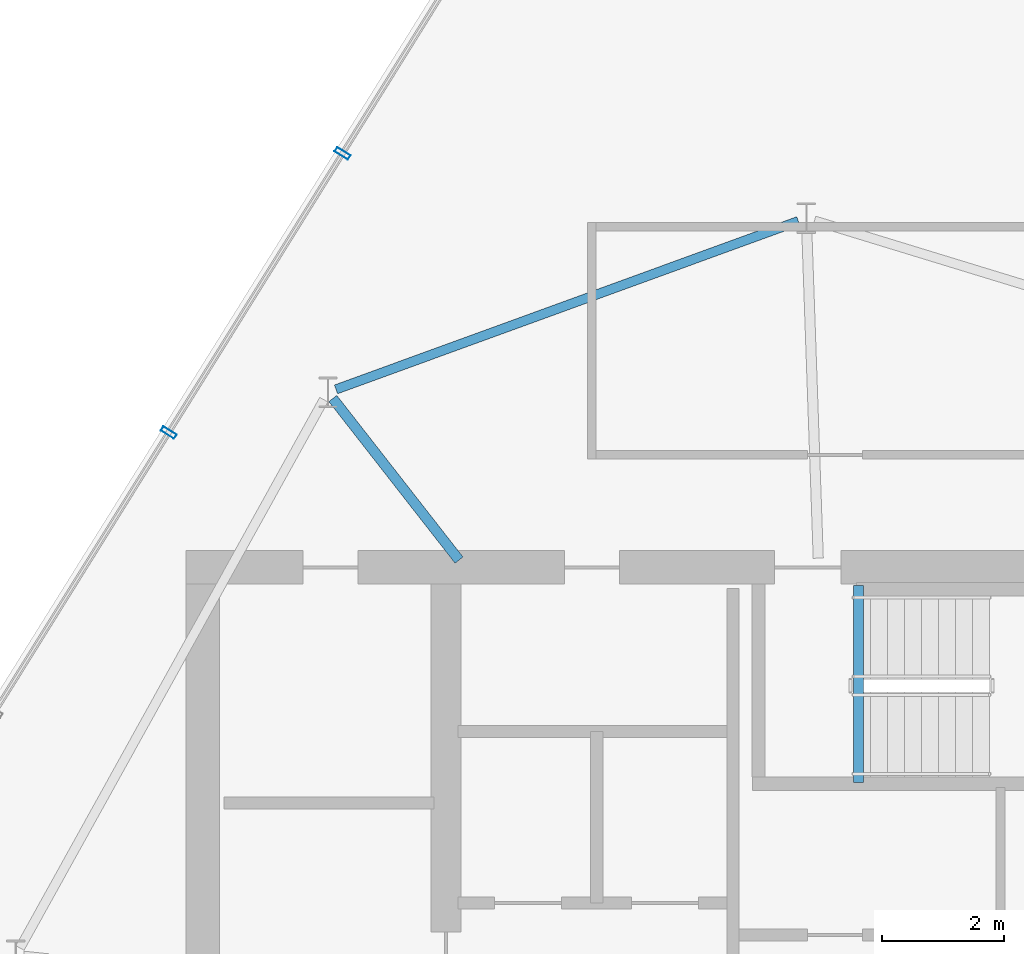
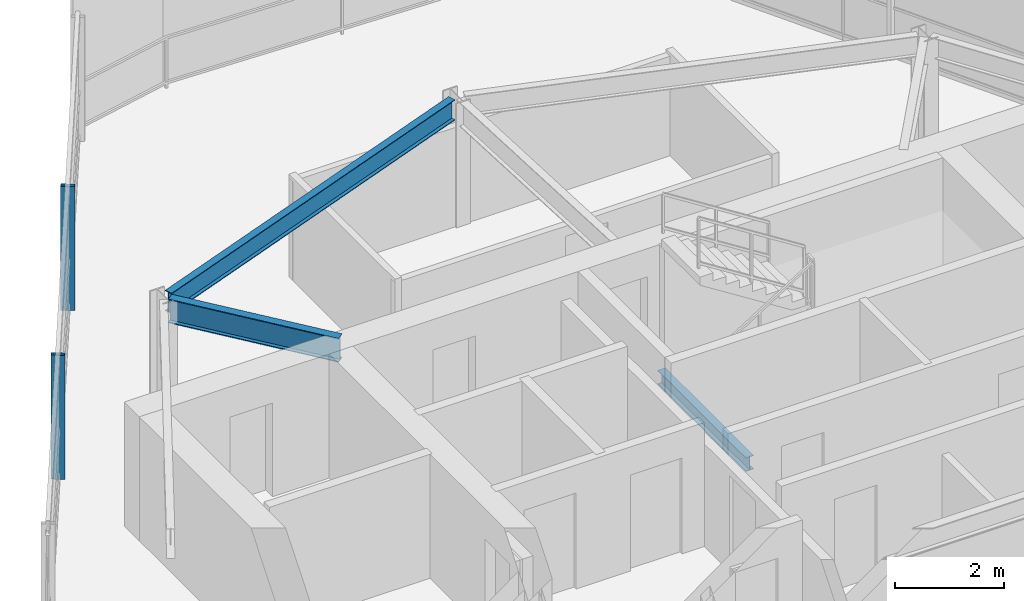
# One storey, part 8 of 16: 3 beams, 2 members, 1 element without a shape of its own.
"""IFC4 building model written with IfcOpenShell, lengths in metres."""

from ifc_helpers import new_model, si_unit, direction, frame, origin, origin_2d, place, context, subcontext, project, spatial, hollow_rectangle, i_section, extrude, material, layer, layer_set, material_profile, profile_set, type_object, element, aggregate, save


model = new_model("IFC4")

# Units and contexts
model_context = context("Model", 3, precision=1e-05, world=origin(), true_north=direction((0.0, 1.0)))
body_context = subcontext(model_context, "Body", "Model", "MODEL_VIEW")
ifc_project = project(units=[si_unit("LENGTHUNIT", "METRE"), si_unit("AREAUNIT", "SQUARE_METRE"), si_unit("VOLUMEUNIT", "CUBIC_METRE"), si_unit("PLANEANGLEUNIT", "RADIAN"), si_unit("MASSUNIT", "GRAM", prefix="KILO")], contexts=[model_context])

# Site, building, storey
site_placement = place(None, origin())
site = spatial("IfcSite", under=ifc_project, at=site_placement, CompositionType="ELEMENT")
building_placement = place(site_placement, origin())
building = spatial("IfcBuilding", under=site, at=building_placement, Name="Qarnah Convention Tower", CompositionType="ELEMENT")
storey_placement = place(building_placement, frame((0.0, 0.0, 286.699951171875)))
storey = spatial("IfcBuildingStorey", under=building, at=storey_placement, Name="L77", CompositionType="ELEMENT", Elevation=286.699951171875)

# Beams
ifc_material_1 = material(Name="Structural steel S355JR", Category="steel")
ifc_material_profile_1 = material_profile(ifc_material_1, i_section(OverallWidth=0.166015625, OverallDepth=0.31201171875, WebThickness=0.007080078125, FlangeThickness=0.010986328125, at=origin_2d()), Name="W310X45")
ifc_profile_set_1 = profile_set([ifc_material_profile_1], Name="Structural steel S355JR")
beam_type_1 = type_object("IfcBeamType", Name="BM-JST-W310", PredefinedType="JOIST", material=ifc_profile_set_1)
beam_1_placement = place(storey_placement, frame((37.5830078125, 30.659912109375, -0.156005859375), z_axis=(0.0, 1.0, 0.0), x_axis=(-1.0, 0.0, 0.0)))
element("IfcBeam", 1, at=beam_1_placement, inside=storey, type_object=beam_type_1, Name="L77 stair landing trimmer beam BM-L77-ST3-TRM", PredefinedType="BEAM", context=body_context, shape_type="SweptSolid", body=[
    extrude(i_section(OverallWidth=0.166015625, OverallDepth=0.31201171875, WebThickness=0.007080078125, FlangeThickness=0.010986328125, at=origin_2d()), origin(), (0.0, 0.0, 1.0), 3.239990234375),
])
ifc_material_profile_2 = material_profile(ifc_material_1, i_section(OverallWidth=0.166015625, OverallDepth=0.535888671875, WebThickness=0.010009765625, FlangeThickness=0.01708984375, at=origin_2d()), Name="W530X85")
ifc_profile_set_2 = profile_set([ifc_material_profile_2], Name="Structural steel S355JR")
beam_type_2 = type_object("IfcBeamType", Name="BM-RAD-W530B", PredefinedType="BEAM", material=ifc_profile_set_2)
beam_2_placement = place(storey_placement, frame((31.013916015625, 34.318115234375, 2.511962890625), z_axis=(-0.615533058193, 0.788111067218, 0.0), x_axis=(-0.788111067218, -0.615533058193, 0.0)))
element("IfcBeam", 2, at=beam_2_placement, inside=storey, type_object=beam_type_2, Name="L77 beam BM-L77-RAD-04", PredefinedType="BEAM", context=body_context, shape_type="SweptSolid", body=[
    extrude(i_section(OverallWidth=0.166015625, OverallDepth=0.535888671875, WebThickness=0.010009765625, FlangeThickness=0.01708984375, at=origin_2d()), origin(), (0.0, 0.0, 1.0), 3.37255859375),
])
ifc_material_profile_3 = material_profile(ifc_material_1, i_section(OverallWidth=0.154052734375, OverallDepth=0.4599609375, WebThickness=0.009033203125, FlangeThickness=0.014892578125, at=origin_2d()), Name="W460X68")
ifc_profile_set_3 = profile_set([ifc_material_profile_3], Name="Structural steel S355JR")
beam_type_3 = type_object("IfcBeamType", Name="BM-SPN-W460B", PredefinedType="SPANDREL", material=ifc_profile_set_3)
beam_3_placement = place(storey_placement, frame((36.594970703125, 39.89404296875, 2.550048828125), z_axis=(-0.939689448399, -0.34202885926, 0.0), x_axis=(0.34202885926, -0.939689448399, 0.0)))
element("IfcBeam", 3, at=beam_3_placement, inside=storey, type_object=beam_type_3, Name="L77 spandrel BM-L77-SPN-03", PredefinedType="SPANDREL", context=body_context, shape_type="SweptSolid", body=[
    extrude(i_section(OverallWidth=0.154052734375, OverallDepth=0.4599609375, WebThickness=0.009033203125, FlangeThickness=0.014892578125, at=origin_2d()), origin(), (0.0, 0.0, 1.0), 8.093017578125),
])

# Curtain wall, members
ifc_material_2 = material(Name="Tempered Low-E dark glass", Category="glass")
ifc_layer = layer(ifc_material_2, 0.177978515625)
ifc_layer_set = layer_set([ifc_layer], Name="Tempered Low-E dark glass")
curtain_wall_type = type_object("IfcCurtainWallType", Name="CWS-06", PredefinedType="NOTDEFINED", material=ifc_layer_set)
curtain_wall_placement = place(storey_placement, origin())
curtain_wall = element("IfcCurtainWall", 4, at=curtain_wall_placement, inside=storey, type_object=curtain_wall_type, Name="L77 unitised curtain wall CW-L77-F3", PredefinedType="NOTDEFINED")
ifc_material_3 = material(Name="Black anodised aluminium", Category="aluminium")
ifc_material_profile_4 = material_profile(ifc_material_3, hollow_rectangle(XDim=0.0849609375, YDim=0.260009765625, WallThickness=0.006103515625, at=origin_2d()), Name="MUL-85X260")
ifc_profile_set_4 = profile_set([ifc_material_profile_4], Name="Black anodised aluminium")
member_type = type_object("IfcMemberType", Name="MUL-T6", PredefinedType="MULLION", material=ifc_profile_set_4)
member_1_placement = place(storey_placement, frame((26.2373046875, 36.415283203125, 0.0), z_axis=(0.0, 0.0, 1.0), x_axis=(0.528738901195, 0.848784527641, 0.0)))
member_1 = element("IfcMember", 5, at=member_1_placement, type_object=member_type, Name="CW-L77-F3 mullion 4", PredefinedType="MULLION", context=body_context, shape_type="SweptSolid", body=[
    extrude(hollow_rectangle(XDim=0.0849609375, YDim=0.260009765625, WallThickness=0.006103515625, at=origin_2d()), origin(), (0.0, 0.0, 1.0), 2.780029296875),
])
member_2_placement = place(storey_placement, frame((29.09765625, 41.007080078125, 0.0), z_axis=(0.0, 0.0, 1.0), x_axis=(0.528738901195, 0.848784527641, 0.0)))
member_2 = element("IfcMember", 6, at=member_2_placement, type_object=member_type, Name="CW-L77-F3 mullion 5", PredefinedType="MULLION", context=body_context, shape_type="SweptSolid", body=[
    extrude(hollow_rectangle(XDim=0.0849609375, YDim=0.260009765625, WallThickness=0.006103515625, at=origin_2d()), origin(), (0.0, 0.0, 1.0), 2.780029296875),
])
aggregate(curtain_wall, [member_1, member_2])

save(model, "model.ifc")
